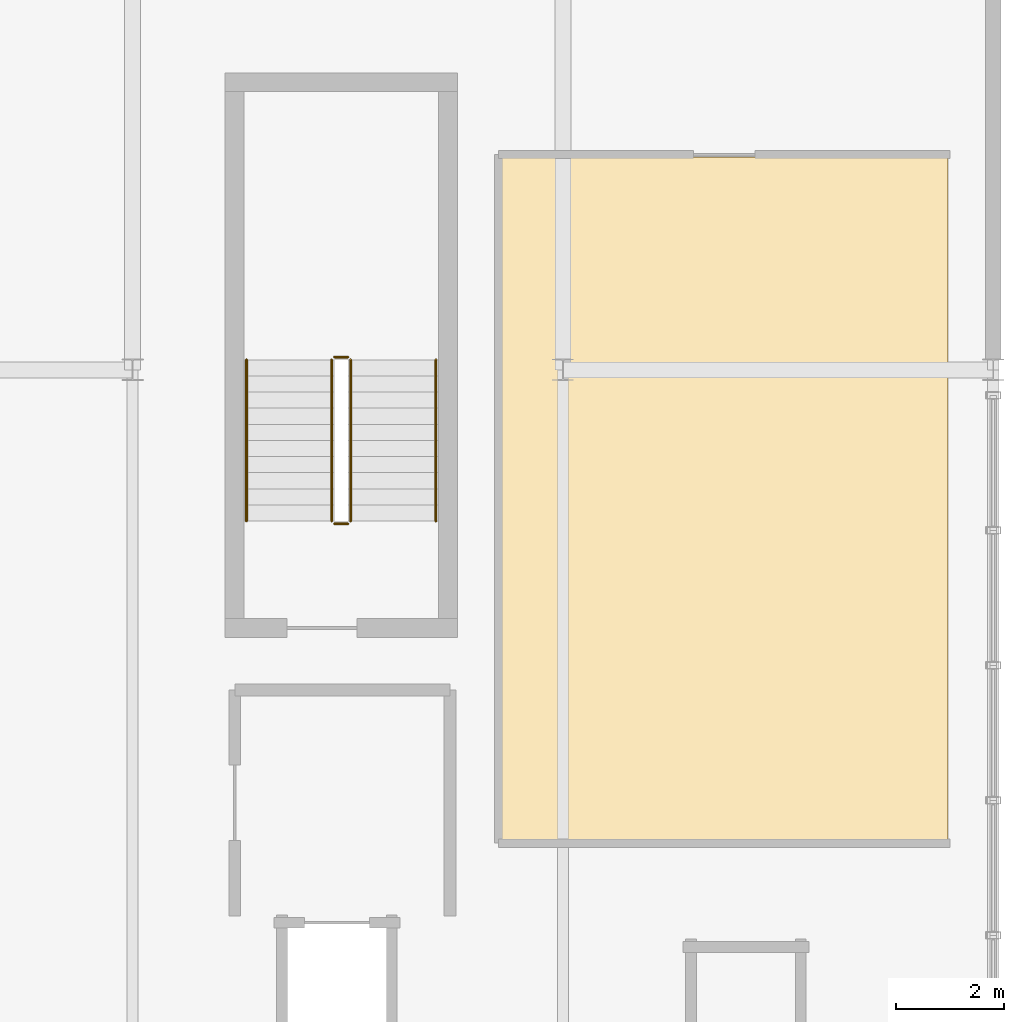
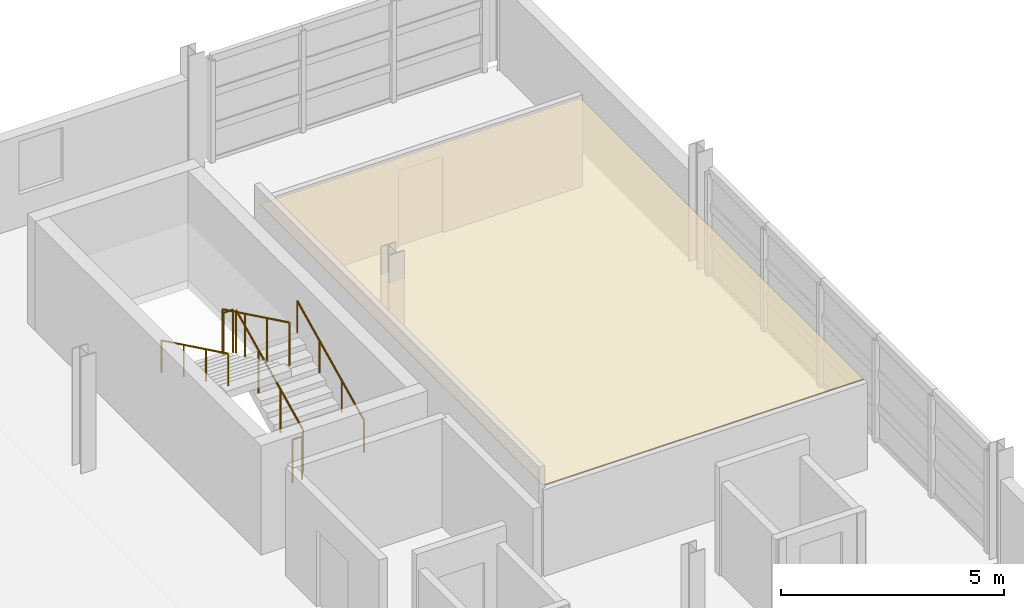
# One storey, part 86 of 86: 6 railings, 1 covering.
"""IFC4 building model written with IfcOpenShell, lengths in metres."""

from ifc_helpers import new_model, si_unit, direction, frame, origin, origin_2d, place, context, subcontext, project, spatial, polyline, circle, outline, extrude, material, layer, layer_set, type_object, element, save


model = new_model("IFC4")

# Units and contexts
model_context = context("Model", 3, precision=1e-05, world=origin(), true_north=direction((0.0, 1.0)))
body_context = subcontext(model_context, "Body", "Model", "MODEL_VIEW")
ifc_project = project(units=[si_unit("LENGTHUNIT", "METRE"), si_unit("AREAUNIT", "SQUARE_METRE"), si_unit("VOLUMEUNIT", "CUBIC_METRE"), si_unit("PLANEANGLEUNIT", "RADIAN"), si_unit("MASSUNIT", "GRAM", prefix="KILO")], contexts=[model_context])

# Site, building, storey
site_placement = place(None, origin())
site = spatial("IfcSite", under=ifc_project, at=site_placement, CompositionType="ELEMENT")
building_placement = place(site_placement, origin())
building = spatial("IfcBuilding", under=site, at=building_placement, Name="Chuanluo Vaults Station", CompositionType="ELEMENT")
storey_placement = place(building_placement, frame((0.0, 0.0, 14.39990234375)))
storey = spatial("IfcBuildingStorey", under=building, at=storey_placement, Name="L03", CompositionType="ELEMENT", Elevation=14.39990234375)

# Covering
ifc_material_1 = material(Name="Acoustic mineral-fibre tile")
ifc_layer = layer(ifc_material_1, 0.02490234375)
ifc_layer_set = layer_set([ifc_layer], Name="Acoustic mineral-fibre tile")
covering_type = type_object("IfcCoveringType", Name="COV-CEIL-TILE", PredefinedType="CEILING", material=ifc_layer_set)
covering_placement = place(storey_placement, frame((0.0, 0.0, 2.400146484375)))
element("IfcCovering", 1, at=covering_placement, inside=storey, type_object=covering_type, Name="L03-19 suspended acoustic ceiling", PredefinedType="CEILING", context=body_context, shape_type="SweptSolid", body=[
    extrude(outline(polyline([(178.840087890625, 108.239990234375), (187.159912109375, 108.239990234375), (187.159912109375, 120.9599609375), (178.840087890625, 120.9599609375), (178.840087890625, 108.239990234375)])), origin(), (0.0, 0.0, 1.0), 0.02490234375),
])

# Railings
ifc_material_2 = material(Name="Tempered laminated balustrade glass", Category="glass")
railing_type_1 = type_object("IfcRailingType", Name="RLG-GUARD-1200", PredefinedType="BALUSTRADE", material=ifc_material_2)
railing_1_placement = place(storey_placement, frame((176.052490234375, 114.1875, 0.1455078125)))
element("IfcRailing", 2, at=railing_1_placement, inside=storey, type_object=railing_type_1, Name="L03 ST-02 stair guard 1", PredefinedType="BALUSTRADE", context=body_context, shape_type="SweptSolid", body=[
    extrude(circle(Radius=0.02392578125, at=origin_2d()), frame((0.0, 0.0, 1.17578125), z_axis=(0.0, 0.899808880547, 0.43628428632), x_axis=(-1.0, 0.0, 0.0)), (0.0, 0.0, 1.0), 3.333984375),
    extrude(circle(Radius=0.02099609375, at=origin_2d()), origin(), (0.0, 0.0, 1.0), 1.15185546875),
    extrude(circle(Radius=0.02099609375, at=origin_2d()), frame((0.0, 1.0, 0.48486328125)), (0.0, 0.0, 1.0), 1.15185546875),
    extrude(circle(Radius=0.02099609375, at=origin_2d()), frame((0.0, 2.0, 0.9697265625)), (0.0, 0.0, 1.0), 1.15185546875),
    extrude(circle(Radius=0.02099609375, at=origin_2d()), frame((0.0, 3.0, 1.45458984375)), (0.0, 0.0, 1.0), 1.15185546875),
])
railing_2_placement = place(storey_placement, frame((176.00244140625, 117.237548828125, 1.60009765625)))
element("IfcRailing", 3, at=railing_2_placement, inside=storey, type_object=railing_type_1, Name="L03 ST-02 stair guard 2", PredefinedType="BALUSTRADE", context=body_context, shape_type="SweptSolid", body=[
    extrude(circle(Radius=0.02392578125, at=origin_2d()), frame((0.0, 0.0, 1.17578125), z_axis=(-1.0, 0.0, 0.0), x_axis=(0.0, -1.0, 0.0)), (0.0, 0.0, 1.0), 0.25),
    extrude(circle(Radius=0.02099609375, at=origin_2d()), origin(), (0.0, 0.0, 1.0), 1.15185546875),
    extrude(circle(Radius=0.02099609375, at=origin_2d()), frame((-0.25, 0.0, 0.0)), (0.0, 0.0, 1.0), 1.15185546875),
])
railing_3_placement = place(storey_placement, frame((175.702392578125, 117.1875, 1.74560546875)))
element("IfcRailing", 4, at=railing_3_placement, inside=storey, type_object=railing_type_1, Name="L03 ST-02 stair guard 3", PredefinedType="BALUSTRADE", context=body_context, shape_type="SweptSolid", body=[
    extrude(circle(Radius=0.02392578125, at=origin_2d()), frame((0.0, 0.0, 1.17578125), z_axis=(0.0, -0.899808880547, 0.43628428632), x_axis=(1.0, 0.0, 0.0)), (0.0, 0.0, 1.0), 3.333984375),
    extrude(circle(Radius=0.02099609375, at=origin_2d()), origin(), (0.0, 0.0, 1.0), 1.15185546875),
    extrude(circle(Radius=0.02099609375, at=origin_2d()), frame((0.0, -1.0, 0.48486328125)), (0.0, 0.0, 1.0), 1.15185546875),
    extrude(circle(Radius=0.02099609375, at=origin_2d()), frame((0.0, -2.0, 0.9697265625)), (0.0, 0.0, 1.0), 1.15185546875),
    extrude(circle(Radius=0.02099609375, at=origin_2d()), frame((0.0, -3.0, 1.45458984375)), (0.0, 0.0, 1.0), 1.15185546875),
])
railing_4_placement = place(storey_placement, frame((176.00244140625, 114.137451171875, 0.0)))
element("IfcRailing", 5, at=railing_4_placement, inside=storey, type_object=railing_type_1, Name="L03 ST-02 stair guard 4", PredefinedType="BALUSTRADE", context=body_context, shape_type="SweptSolid", body=[
    extrude(circle(Radius=0.02392578125, at=origin_2d()), frame((0.0, 0.0, 1.17578125), z_axis=(-1.0, 0.0, 0.0), x_axis=(0.0, -1.0, 0.0)), (0.0, 0.0, 1.0), 0.25),
    extrude(circle(Radius=0.02099609375, at=origin_2d()), origin(), (0.0, 0.0, 1.0), 1.15185546875),
    extrude(circle(Radius=0.02099609375, at=origin_2d()), frame((-0.25, 0.0, 0.0)), (0.0, 0.0, 1.0), 1.15185546875),
])
ifc_material_3 = material(Name="Brushed stainless steel 304", Category="steel")
railing_type_2 = type_object("IfcRailingType", Name="RLG-HAND-900", PredefinedType="HANDRAIL", material=ifc_material_3)
railing_5_placement = place(storey_placement, frame((177.637451171875, 114.1875, 0.1455078125)))
element("IfcRailing", 6, at=railing_5_placement, inside=storey, type_object=railing_type_2, Name="L03 ST-02 stair handrail 1", PredefinedType="HANDRAIL", context=body_context, shape_type="SweptSolid", body=[
    extrude(circle(Radius=0.02392578125, at=origin_2d()), frame((0.0, 0.0, 0.8759765625), z_axis=(0.0, 0.899808880547, 0.43628428632), x_axis=(-1.0, 0.0, 0.0)), (0.0, 0.0, 1.0), 3.333984375),
    extrude(circle(Radius=0.02099609375, at=origin_2d()), origin(), (0.0, 0.0, 1.0), 0.851806640625),
    extrude(circle(Radius=0.02099609375, at=origin_2d()), frame((0.0, 1.0, 0.48486328125)), (0.0, 0.0, 1.0), 0.851806640625),
    extrude(circle(Radius=0.02099609375, at=origin_2d()), frame((0.0, 2.0, 0.9697265625)), (0.0, 0.0, 1.0), 0.851806640625),
    extrude(circle(Radius=0.02099609375, at=origin_2d()), frame((0.0, 3.0, 1.45458984375)), (0.0, 0.0, 1.0), 0.851806640625),
])
railing_6_placement = place(storey_placement, frame((174.117431640625, 117.1875, 1.74560546875)))
element("IfcRailing", 7, at=railing_6_placement, inside=storey, type_object=railing_type_2, Name="L03 ST-02 stair handrail 2", PredefinedType="HANDRAIL", context=body_context, shape_type="SweptSolid", body=[
    extrude(circle(Radius=0.02392578125, at=origin_2d()), frame((0.0, 0.0, 0.8759765625), z_axis=(0.0, -0.899808880547, 0.43628428632), x_axis=(1.0, 0.0, 0.0)), (0.0, 0.0, 1.0), 3.333984375),
    extrude(circle(Radius=0.02099609375, at=origin_2d()), origin(), (0.0, 0.0, 1.0), 0.851806640625),
    extrude(circle(Radius=0.02099609375, at=origin_2d()), frame((0.0, -1.0, 0.48486328125)), (0.0, 0.0, 1.0), 0.851806640625),
    extrude(circle(Radius=0.02099609375, at=origin_2d()), frame((0.0, -2.0, 0.9697265625)), (0.0, 0.0, 1.0), 0.851806640625),
    extrude(circle(Radius=0.02099609375, at=origin_2d()), frame((0.0, -3.0, 1.45458984375)), (0.0, 0.0, 1.0), 0.851806640625),
])

save(model, "model.ifc")
